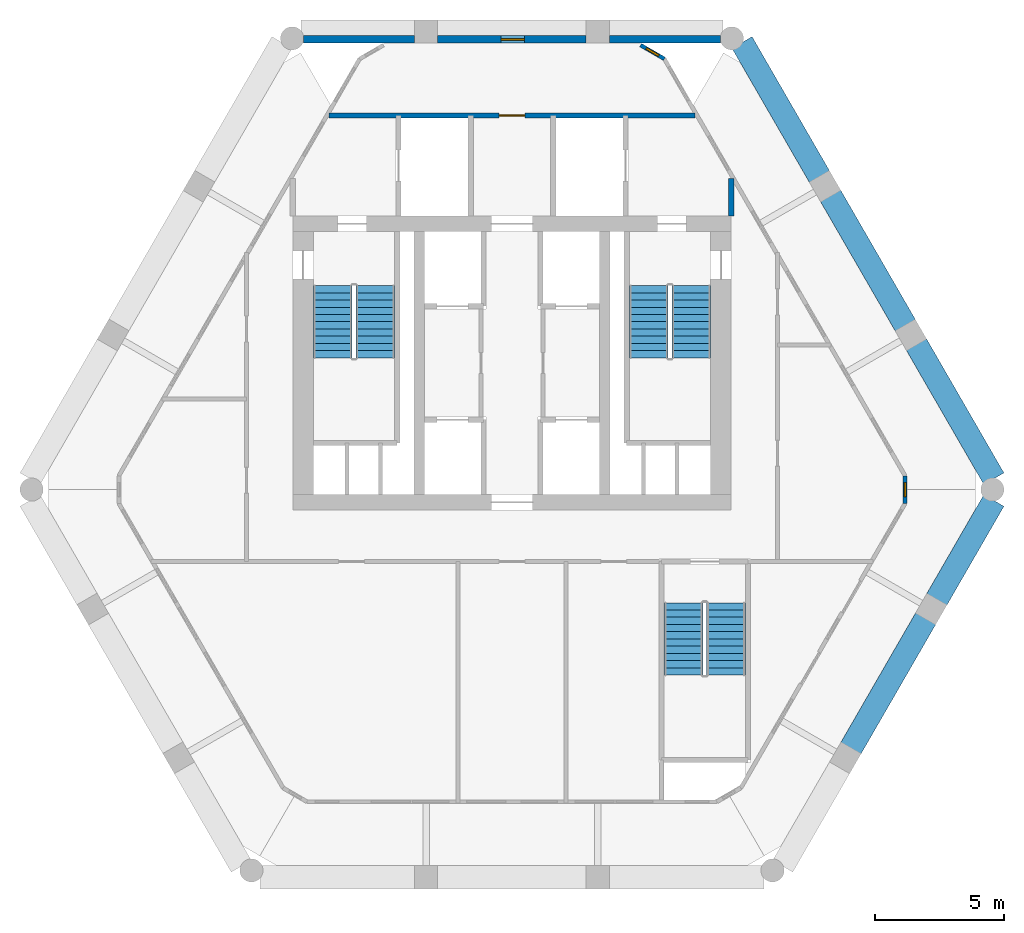
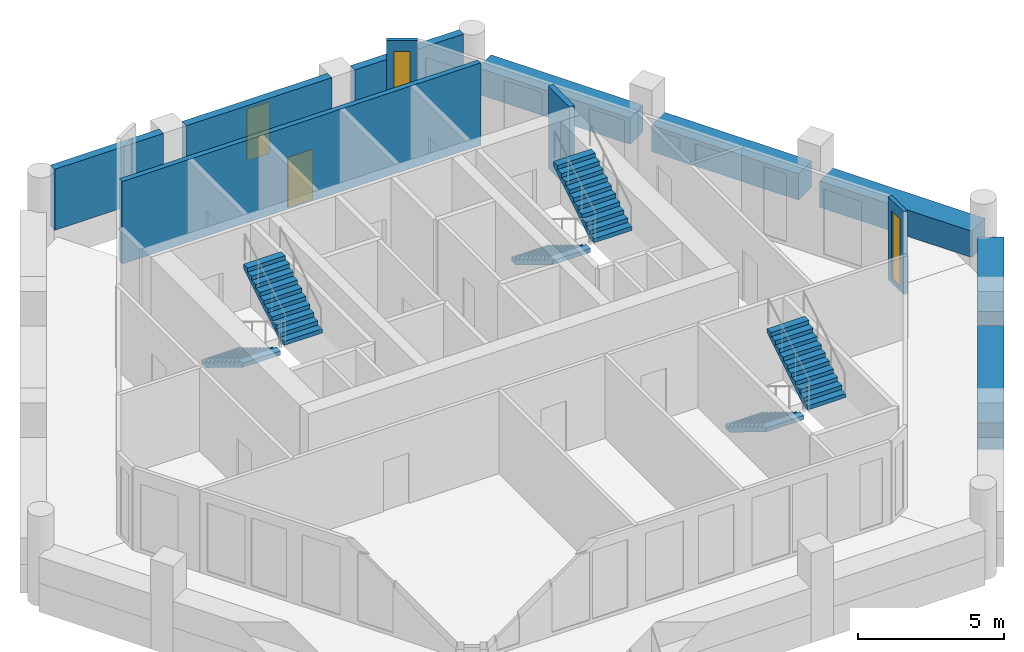
# One storey, part 5 of 6: 12 walls, 6 stair flights, 3 windows, 1 door, 4 openings, 3 elements without a shape of their own.
"""IFC4 building model written with IfcOpenShell, lengths in metres."""

from ifc_helpers import new_model, si_unit, direction, frame, frame_2d, origin, place, context, subcontext, project, spatial, polyline, rectangle, outline, extrude, material, layer, layer_set, type_object, element, fill, aggregate, save


model = new_model("IFC4")

# Units and contexts
model_context = context("Model", 3, precision=1e-05, world=origin(), true_north=direction((0.0, 1.0)))
body_context = subcontext(model_context, "Body", "Model", "MODEL_VIEW")
ifc_project = project(units=[si_unit("LENGTHUNIT", "METRE"), si_unit("AREAUNIT", "SQUARE_METRE"), si_unit("VOLUMEUNIT", "CUBIC_METRE"), si_unit("PLANEANGLEUNIT", "RADIAN"), si_unit("MASSUNIT", "GRAM", prefix="KILO")], contexts=[model_context])

# Site, building, storey
site_placement = place(None, origin())
site = spatial("IfcSite", under=ifc_project, at=site_placement, CompositionType="ELEMENT")
building_placement = place(site_placement, origin())
building = spatial("IfcBuilding", under=site, at=building_placement, Name="Ostrander Bayou Hotel Tower", CompositionType="ELEMENT")
storey_placement = place(building_placement, frame((0.0, 0.0, 263.75)))
storey = spatial("IfcBuildingStorey", under=building, at=storey_placement, Name="L65", CompositionType="ELEMENT", Elevation=263.75)

# Wall, opening, window
ifc_material_1 = material(Name="Aluminium framed insulated wall", Category="aluminium")
ifc_layer_1 = layer(ifc_material_1, 0.14990234375)
ifc_layer_set_1 = layer_set([ifc_layer_1], Name="GW1 glass-line wall 150 mm")
wall_type_1 = type_object("IfcWallType", Name="GW1 glass-line wall 150 mm", PredefinedType="SOLIDWALL", material=ifc_layer_set_1)
wall_1_placement = place(storey_placement, frame((15.245849609375, -1.443603515625, 0.0), z_axis=(0.0, 0.0, 1.0), x_axis=(0.0, 1.0, 0.0)))
wall_1 = element("IfcWall", 1, at=wall_1_placement, inside=storey, type_object=wall_type_1, Name="GW1 L65 corner 5", PredefinedType="SOLIDWALL", context=body_context, shape_type="SweptSolid", body=[
    extrude(rectangle(XDim=1.065185546875, YDim=0.14990234375, at=frame_2d((0.53271484375, 0.0))), origin(), (0.0, 0.0, 1.0), 3.449951171875),
])
opening_1_placement = place(wall_1_placement, frame((0.257568359375, 0.0, 0.14990234375)))
opening_1 = element("IfcOpeningElement", 2, at=opening_1_placement, cuts=wall_1, Name="Opening W19", PredefinedType="OPENING", context=body_context, shape_type="SweptSolid", body=[
    extrude(rectangle(XDim=0.550048828125, YDim=2.85009765625, at=frame_2d((0.27490234375, 1.425048828125))), frame((0.0, 0.074951171875, 0.0), z_axis=(0.0, -1.0, 0.0), x_axis=(1.0, 0.0, 0.0)), (0.0, 0.0, 1.0), 0.14990234375),
])
ifc_material_2 = material(Name="Aluminium and clear glass", Category="aluminium")
window_type_1 = type_object("IfcWindowType", Name="W19 corner window 550 mm", PartitioningType="SINGLE_PANEL", PredefinedType="WINDOW", material=ifc_material_2)
window_1_placement = place(opening_1_placement, origin())
window_1 = element("IfcWindow", 3, at=window_1_placement, inside=storey, type_object=window_type_1, Name="W19 L65 corner 5", OverallHeight=2.85009765625, OverallWidth=0.550048828125, PartitioningType="SINGLE_PANEL", PredefinedType="WINDOW", context=body_context, shape_type="SweptSolid", body=[
    extrude(rectangle(XDim=0.550048828125, YDim=2.85009765625, at=frame_2d((0.27490234375, 1.425048828125))), frame((0.0, 0.030029296875, 0.0), z_axis=(0.0, -1.0, 0.0), x_axis=(1.0, 0.0, 0.0)), (0.0, 0.0, 1.0), 0.06005859375),
])
fill(opening_1, window_1)

wall_2_placement = place(storey_placement, frame((5.909423828125, 15.79248046875, 0.0), z_axis=(0.0, 0.0, 1.0), x_axis=(-0.865990848561, 0.500059846627, 0.0)))
wall_2 = element("IfcWall", 4, at=wall_2_placement, inside=storey, type_object=wall_type_1, Name="GW1 L65 corner 6", PredefinedType="SOLIDWALL", context=body_context, shape_type="SweptSolid", body=[
    extrude(rectangle(XDim=1.064697265625, YDim=0.14990234375, at=frame_2d((0.5322265625, 0.0))), origin(), (0.0, 0.0, 1.0), 3.449951171875),
])
opening_2_placement = place(wall_2_placement, frame((0.257568359375, 0.0, 0.14990234375)))
opening_2 = element("IfcOpeningElement", 5, at=opening_2_placement, cuts=wall_2, Name="Opening W19", PredefinedType="OPENING", context=body_context, shape_type="SweptSolid", body=[
    extrude(rectangle(XDim=0.550048828125, YDim=2.85009765625, at=frame_2d((0.27490234375, 1.425048828125))), frame((0.0, 0.074951171875, 0.0), z_axis=(0.0, -1.0, 0.0), x_axis=(1.0, 0.0, 0.0)), (0.0, 0.0, 1.0), 0.14990234375),
])
window_2_placement = place(opening_2_placement, origin())
window_2 = element("IfcWindow", 6, at=window_2_placement, inside=storey, type_object=window_type_1, Name="W19 L65 corner 6", OverallHeight=2.85009765625, OverallWidth=0.550048828125, PartitioningType="SINGLE_PANEL", PredefinedType="WINDOW", context=body_context, shape_type="SweptSolid", body=[
    extrude(rectangle(XDim=0.550048828125, YDim=2.85009765625, at=frame_2d((0.27490234375, 1.425048828125))), frame((0.0, 0.030029296875, 0.0), z_axis=(0.0, -1.0, 0.0), x_axis=(1.0, 0.0, 0.0)), (0.0, 0.0, 1.0), 0.06005859375),
])
fill(opening_2, window_2)

# Wall
ifc_material_3 = material(Name="Reconstituted stone on masonry backing", Category="masonry")
ifc_layer_2 = layer(ifc_material_3, 0.300048828125)
ifc_layer_set_2 = layer_set([ifc_layer_2], Name="NW1 north stone wall 300 mm")
wall_type_2 = type_object("IfcWallType", Name="NW1 north stone wall 300 mm", PredefinedType="SOLIDWALL", material=ifc_layer_set_2)
wall_3_placement = place(storey_placement, frame((8.079345703125, 16.550048828125, 0.0), z_axis=(0.0, 0.0, 1.0), x_axis=(-1.0, 0.0, 0.0)))
element("IfcWall", 7, at=wall_3_placement, inside=storey, type_object=wall_type_2, Name="NW1 L65 N-1", PredefinedType="SOLIDWALL", context=body_context, shape_type="SweptSolid", body=[
    extrude(rectangle(XDim=4.300048828125, YDim=0.300048828125, at=frame_2d((2.14990234375, 0.0))), origin(), (0.0, 0.0, 1.0), 2.550048828125),
])

# Wall, opening, window
wall_4_placement = place(storey_placement, frame((2.87939453125, 16.550048828125, 0.0), z_axis=(0.0, 0.0, 1.0), x_axis=(-1.0, 0.0, 0.0)))
wall_4 = element("IfcWall", 8, at=wall_4_placement, inside=storey, type_object=wall_type_2, Name="NW1 L65 N-2", PredefinedType="SOLIDWALL", context=body_context, shape_type="SweptSolid", body=[
    extrude(rectangle(XDim=5.7587890625, YDim=0.300048828125, at=frame_2d((2.87939453125, 0.0))), origin(), (0.0, 0.0, 1.0), 2.550048828125),
])
opening_3_placement = place(wall_4_placement, frame((2.39990234375, 0.0, 0.14990234375)))
opening_3 = element("IfcOpeningElement", 9, at=opening_3_placement, cuts=wall_4, Name="Opening W18", PredefinedType="OPENING", context=body_context, shape_type="SweptSolid", body=[
    extrude(rectangle(XDim=0.89990234375, YDim=2.14990234375, at=frame_2d((0.449951171875, 1.074951171875))), frame((0.0, 0.14990234375, 0.0), z_axis=(0.0, -1.0, 0.0), x_axis=(1.0, 0.0, 0.0)), (0.0, 0.0, 1.0), 0.300048828125),
])
ifc_material_4 = material(Name="Aluminium and clear glass", Category="aluminium")
window_type_2 = type_object("IfcWindowType", Name="W18 window 900 mm, zone 4", PartitioningType="SINGLE_PANEL", PredefinedType="WINDOW", material=ifc_material_4)
window_3_placement = place(opening_3_placement, origin())
window_3 = element("IfcWindow", 10, at=window_3_placement, inside=storey, type_object=window_type_2, Name="W18 L65 north N-2", OverallHeight=2.14990234375, OverallWidth=0.89990234375, PartitioningType="SINGLE_PANEL", PredefinedType="WINDOW", context=body_context, shape_type="SweptSolid", body=[
    extrude(rectangle(XDim=0.89990234375, YDim=2.14990234375, at=frame_2d((0.449951171875, 1.074951171875))), frame((0.0, 0.030029296875, 0.0), z_axis=(0.0, -1.0, 0.0), x_axis=(1.0, 0.0, 0.0)), (0.0, 0.0, 1.0), 0.06005859375),
])
fill(opening_3, window_3)

# Walls
wall_5_placement = place(storey_placement, frame((-3.779296875, 16.550048828125, 0.0), z_axis=(0.0, 0.0, 1.0), x_axis=(-1.0, 0.0, 0.0)))
element("IfcWall", 11, at=wall_5_placement, inside=storey, type_object=wall_type_2, Name="NW1 L65 N-3", PredefinedType="SOLIDWALL", context=body_context, shape_type="SweptSolid", body=[
    extrude(rectangle(XDim=4.300048828125, YDim=0.300048828125, at=frame_2d((2.14990234375, 0.0))), origin(), (0.0, 0.0, 1.0), 2.550048828125),
])
ifc_material_5 = material(Name="Concrete f'c 40 MPa", Category="concrete")
ifc_layer_3 = layer(ifc_material_5, 0.89990234375)
ifc_layer_set_3 = layer_set([ifc_layer_3], Name="PA1 stone-faced parapet 900 mm")
wall_type_3 = type_object("IfcWallType", Name="PA1 stone-faced parapet 900 mm", PredefinedType="PARAPET", material=ifc_layer_set_3)
wall_6_placement = place(storey_placement, frame((18.68701171875, -0.489013671875, 0.0), z_axis=(0.0, 0.0, 1.0), x_axis=(-0.499996383721, 0.866027491634, 0.0)))
element("IfcWall", 12, at=wall_6_placement, inside=storey, type_object=wall_type_3, Name="PA1 L65 NE-1", PredefinedType="PARAPET", context=body_context, shape_type="SweptSolid", body=[
    extrude(rectangle(XDim=6.017578125, YDim=0.89990234375, at=frame_2d((3.0087890625, 0.0))), origin(), (0.0, 0.0, 1.0), 1.10009765625),
])
wall_7_placement = place(storey_placement, frame((15.25830078125, 5.449951171875, 0.0), z_axis=(0.0, 0.0, 1.0), x_axis=(-0.500015433515, 0.866016493057, 0.0)))
element("IfcWall", 13, at=wall_7_placement, inside=storey, type_object=wall_type_3, Name="PA1 L65 NE-2", PredefinedType="PARAPET", context=body_context, shape_type="SweptSolid", body=[
    extrude(rectangle(XDim=5.818603515625, YDim=0.89990234375, at=frame_2d((2.9091796875, 0.0))), origin(), (0.0, 0.0, 1.0), 1.10009765625),
])
wall_8_placement = place(storey_placement, frame((11.928955078125, 11.216552734375, 0.0), z_axis=(0.0, 0.0, 1.0), x_axis=(-0.500026811154, 0.866009923804, 0.0)))
element("IfcWall", 14, at=wall_8_placement, inside=storey, type_object=wall_type_3, Name="PA1 L65 NE-3", PredefinedType="PARAPET", context=body_context, shape_type="SweptSolid", body=[
    extrude(rectangle(XDim=6.017822265625, YDim=0.89990234375, at=frame_2d((3.0087890625, 0.0))), origin(), (0.0, 0.0, 1.0), 1.10009765625),
])
ifc_material_6 = material(Name="Limestone masonry", Category="masonry")
ifc_layer_4 = layer(ifc_material_6, 0.89990234375)
ifc_layer_set_4 = layer_set([ifc_layer_4], Name="PA2 limestone parapet 900 mm")
wall_type_4 = type_object("IfcWallType", Name="PA2 limestone parapet 900 mm", PredefinedType="PARAPET", material=ifc_layer_set_4)
wall_9_placement = place(storey_placement, frame((13.1376953125, -10.944580078125, 0.0), z_axis=(0.0, 0.0, 1.0), x_axis=(0.500015433515, 0.866016493057, 0.0)))
element("IfcWall", 15, at=wall_9_placement, inside=storey, type_object=wall_type_4, Name="PA2 L65 SE-2", PredefinedType="PARAPET", context=body_context, shape_type="SweptSolid", body=[
    extrude(rectangle(XDim=5.818603515625, YDim=0.89990234375, at=frame_2d((2.9091796875, 0.0))), origin(), (0.0, 0.0, 1.0), 1.10009765625),
])
wall_10_placement = place(storey_placement, frame((16.46728515625, -5.177978515625, 0.0), z_axis=(0.0, 0.0, 1.0), x_axis=(0.499971567444, 0.866041818706, 0.0)))
element("IfcWall", 16, at=wall_10_placement, inside=storey, type_object=wall_type_4, Name="PA2 L65 SE-3", PredefinedType="PARAPET", context=body_context, shape_type="SweptSolid", body=[
    extrude(rectangle(XDim=4.439697265625, YDim=0.89990234375, at=frame_2d((2.2197265625, 0.0))), origin(), (0.0, 0.0, 1.0), 1.10009765625),
])

# Wall, opening, door
ifc_material_7 = material(Name="Masonry block", Category="masonry")
ifc_layer_5 = layer(ifc_material_7, 0.199951171875)
ifc_layer_set_5 = layer_set([ifc_layer_5], Name="PT5 stair enclosure wall 200 mm masonry, 2 hour")
wall_type_5 = type_object("IfcWallType", Name="PT5 stair enclosure wall 200 mm masonry, 2 hour", PredefinedType="PARTITIONING", material=ifc_layer_set_5)
wall_11_placement = place(storey_placement, frame((-7.088623046875, 13.60009765625, 0.0), z_axis=(0.0, 0.0, 1.0), x_axis=(1.0, 0.0, 0.0)))
wall_11 = element("IfcWall", 17, at=wall_11_placement, inside=storey, type_object=wall_type_5, Name="cs:L65:022", PredefinedType="PARTITIONING", context=body_context, shape_type="SweptSolid", body=[
    extrude(rectangle(XDim=14.17724609375, YDim=0.199951171875, at=frame_2d((7.088623046875, 0.0))), origin(), (0.0, 0.0, 1.0), 3.449951171875),
])
opening_4_placement = place(wall_11_placement, frame((6.588623046875, 0.0, 0.0)))
opening_4 = element("IfcOpeningElement", 18, at=opening_4_placement, cuts=wall_11, Name="Opening T63-014", PredefinedType="OPENING", context=body_context, shape_type="SweptSolid", body=[
    extrude(rectangle(XDim=1.0, YDim=2.10009765625, at=frame_2d((0.5, 1.050048828125))), frame((0.0, 0.10009765625, 0.0), z_axis=(0.0, -1.0, 0.0), x_axis=(1.0, 0.0, 0.0)), (0.0, 0.0, 1.0), 0.199951171875),
])
ifc_material_8 = material(Name="Timber door leaf", Category="wood")
door_type = type_object("IfcDoorType", Name="D9 service door 1000 x 2100 mm, 30 minute", OperationType="SINGLE_SWING_LEFT", PredefinedType="DOOR", material=ifc_material_8)
door_placement = place(opening_4_placement, origin())
door = element("IfcDoor", 19, at=door_placement, inside=storey, type_object=door_type, Name="dr:L65:014", OperationType="SINGLE_SWING_LEFT", OverallHeight=2.10009765625, OverallWidth=1.0, PredefinedType="DOOR", context=body_context, shape_type="SweptSolid", body=[
    extrude(rectangle(XDim=1.0, YDim=2.10009765625, at=frame_2d((0.5, 1.050048828125))), frame((0.0, 0.02490234375, 0.0), z_axis=(0.0, -1.0, 0.0), x_axis=(1.0, 0.0, 0.0)), (0.0, 0.0, 1.0), 0.050048828125),
])
fill(opening_4, door)

# Wall
wall_12_placement = place(storey_placement, frame((8.5, 9.699951171875, 0.0), z_axis=(0.0, 0.0, 1.0), x_axis=(0.0, 1.0, 0.0)))
element("IfcWall", 20, at=wall_12_placement, inside=storey, type_object=wall_type_5, Name="cs:L65:024", PredefinedType="PARTITIONING", context=body_context, shape_type="SweptSolid", body=[
    extrude(rectangle(XDim=1.45556640625, YDim=0.199951171875, at=frame_2d((0.727783203125, 0.0))), origin(), (0.0, 0.0, 1.0), 3.449951171875),
])

# Stair, stair flights
ifc_material_9 = material(Name="Concrete f'c 45 MPa", Category="concrete")
stair_type = type_object("IfcStairType", Name="ST1 exit stair 1500 mm f'c 45 MPa", PredefinedType="HALF_TURN_STAIR", material=ifc_material_9)
stair_1_placement = place(storey_placement, origin())
stair_1 = element("IfcStair", 21, at=stair_1_placement, inside=storey, type_object=stair_type, Name="L65 exit stair A", PredefinedType="HALF_TURN_STAIR")
ifc_material_10 = material(Name="Concrete f'c 45 MPa", Category="concrete")
stair_flight_type = type_object("IfcStairFlightType", Name="SF1 stair flight 1500 mm f'c 45 MPa", PredefinedType="STRAIGHT", material=ifc_material_10)
stair_flight_1_placement = place(storey_placement, frame((-6.949951171875, 7.0, 0.0), z_axis=(0.0, 0.0, 1.0), x_axis=(0.0, -1.0, 0.0)))
stair_flight_1 = element("IfcStairFlight", 22, at=stair_flight_1_placement, type_object=stair_flight_type, Name="STA flight 1", NumberOfRisers=11, NumberOfTreads=10, PredefinedType="STRAIGHT", RiserHeight=0.170454545, TreadLength=0.28, context=body_context, shape_type="SweptSolid", body=[
    extrude(outline(polyline([(0.0, 0.0), (0.0, 0.17041015625), (0.280029296875, 0.17041015625), (0.280029296875, 0.3408203125), (0.56005859375, 0.3408203125), (0.56005859375, 0.511474609375), (0.840087890625, 0.511474609375), (0.840087890625, 0.681884765625), (1.1201171875, 0.681884765625), (1.1201171875, 0.852294921875), (1.39990234375, 0.852294921875), (1.39990234375, 1.022705078125), (1.679931640625, 1.022705078125), (1.679931640625, 1.193115234375), (1.9599609375, 1.193115234375), (1.9599609375, 1.363525390625), (2.239990234375, 1.363525390625), (2.239990234375, 1.5341796875), (2.52001953125, 1.5341796875), (2.52001953125, 1.70458984375), (2.800048828125, 1.70458984375), (2.800048828125, 1.875), (2.800048828125, 1.529052734375), (0.288330078125, 0.0), (0.0, 0.0)])), frame((0.0, 0.75, 0.0), z_axis=(0.0, -1.0, 0.0), x_axis=(1.0, 0.0, 0.0)), (0.0, 0.0, 1.0), 1.5),
])
stair_flight_2_placement = place(storey_placement, frame((-5.300048828125, 4.199951171875, 1.875), z_axis=(0.0, 0.0, 1.0), x_axis=(0.0, 1.0, 0.0)))
stair_flight_2 = element("IfcStairFlight", 23, at=stair_flight_2_placement, type_object=stair_flight_type, Name="STA flight 2", NumberOfRisers=11, NumberOfTreads=10, PredefinedType="STRAIGHT", RiserHeight=0.170454545, TreadLength=0.28, context=body_context, shape_type="SweptSolid", body=[
    extrude(outline(polyline([(0.0, 0.0), (0.0, 0.17041015625), (0.280029296875, 0.17041015625), (0.280029296875, 0.3408203125), (0.56005859375, 0.3408203125), (0.56005859375, 0.511474609375), (0.840087890625, 0.511474609375), (0.840087890625, 0.681884765625), (1.1201171875, 0.681884765625), (1.1201171875, 0.852294921875), (1.39990234375, 0.852294921875), (1.39990234375, 1.022705078125), (1.679931640625, 1.022705078125), (1.679931640625, 1.193115234375), (1.9599609375, 1.193115234375), (1.9599609375, 1.363525390625), (2.239990234375, 1.363525390625), (2.239990234375, 1.5341796875), (2.52001953125, 1.5341796875), (2.52001953125, 1.70458984375), (2.800048828125, 1.70458984375), (2.800048828125, 1.875), (2.800048828125, 1.529052734375), (0.288330078125, 0.0), (0.0, 0.0)])), frame((0.0, 0.75, 0.0), z_axis=(0.0, -1.0, 0.0), x_axis=(1.0, 0.0, 0.0)), (0.0, 0.0, 1.0), 1.5),
])
aggregate(stair_1, [stair_flight_1, stair_flight_2])

stair_2_placement = place(storey_placement, origin())
stair_2 = element("IfcStair", 24, at=stair_2_placement, inside=storey, type_object=stair_type, Name="L65 exit stair B", PredefinedType="HALF_TURN_STAIR")
stair_flight_3_placement = place(storey_placement, frame((5.300048828125, 7.0, 0.0), z_axis=(0.0, 0.0, 1.0), x_axis=(0.0, -1.0, 0.0)))
stair_flight_3 = element("IfcStairFlight", 25, at=stair_flight_3_placement, type_object=stair_flight_type, Name="STB flight 1", NumberOfRisers=11, NumberOfTreads=10, PredefinedType="STRAIGHT", RiserHeight=0.170454545, TreadLength=0.28, context=body_context, shape_type="SweptSolid", body=[
    extrude(outline(polyline([(0.0, 0.0), (0.0, 0.17041015625), (0.280029296875, 0.17041015625), (0.280029296875, 0.3408203125), (0.56005859375, 0.3408203125), (0.56005859375, 0.511474609375), (0.840087890625, 0.511474609375), (0.840087890625, 0.681884765625), (1.1201171875, 0.681884765625), (1.1201171875, 0.852294921875), (1.39990234375, 0.852294921875), (1.39990234375, 1.022705078125), (1.679931640625, 1.022705078125), (1.679931640625, 1.193115234375), (1.9599609375, 1.193115234375), (1.9599609375, 1.363525390625), (2.239990234375, 1.363525390625), (2.239990234375, 1.5341796875), (2.52001953125, 1.5341796875), (2.52001953125, 1.70458984375), (2.800048828125, 1.70458984375), (2.800048828125, 1.875), (2.800048828125, 1.529052734375), (0.288330078125, 0.0), (0.0, 0.0)])), frame((0.0, 0.75, 0.0), z_axis=(0.0, -1.0, 0.0), x_axis=(1.0, 0.0, 0.0)), (0.0, 0.0, 1.0), 1.5),
])
stair_flight_4_placement = place(storey_placement, frame((6.949951171875, 4.199951171875, 1.875), z_axis=(0.0, 0.0, 1.0), x_axis=(0.0, 1.0, 0.0)))
stair_flight_4 = element("IfcStairFlight", 26, at=stair_flight_4_placement, type_object=stair_flight_type, Name="STB flight 2", NumberOfRisers=11, NumberOfTreads=10, PredefinedType="STRAIGHT", RiserHeight=0.170454545, TreadLength=0.28, context=body_context, shape_type="SweptSolid", body=[
    extrude(outline(polyline([(0.0, 0.0), (0.0, 0.17041015625), (0.280029296875, 0.17041015625), (0.280029296875, 0.3408203125), (0.56005859375, 0.3408203125), (0.56005859375, 0.511474609375), (0.840087890625, 0.511474609375), (0.840087890625, 0.681884765625), (1.1201171875, 0.681884765625), (1.1201171875, 0.852294921875), (1.39990234375, 0.852294921875), (1.39990234375, 1.022705078125), (1.679931640625, 1.022705078125), (1.679931640625, 1.193115234375), (1.9599609375, 1.193115234375), (1.9599609375, 1.363525390625), (2.239990234375, 1.363525390625), (2.239990234375, 1.5341796875), (2.52001953125, 1.5341796875), (2.52001953125, 1.70458984375), (2.800048828125, 1.70458984375), (2.800048828125, 1.875), (2.800048828125, 1.529052734375), (0.288330078125, 0.0), (0.0, 0.0)])), frame((0.0, 0.75, 0.0), z_axis=(0.0, -1.0, 0.0), x_axis=(1.0, 0.0, 0.0)), (0.0, 0.0, 1.0), 1.5),
])
aggregate(stair_2, [stair_flight_3, stair_flight_4])

stair_3_placement = place(storey_placement, origin())
stair_3 = element("IfcStair", 27, at=stair_3_placement, inside=storey, type_object=stair_type, Name="L65 exit stair C", PredefinedType="HALF_TURN_STAIR")
stair_flight_5_placement = place(storey_placement, frame((6.64990234375, -5.300048828125, 0.0), z_axis=(0.0, 0.0, 1.0), x_axis=(0.0, -1.0, 0.0)))
stair_flight_5 = element("IfcStairFlight", 28, at=stair_flight_5_placement, type_object=stair_flight_type, Name="STC flight 1", NumberOfRisers=11, NumberOfTreads=10, PredefinedType="STRAIGHT", RiserHeight=0.170454545, TreadLength=0.28, context=body_context, shape_type="SweptSolid", body=[
    extrude(outline(polyline([(0.0, 0.0), (0.0, 0.17041015625), (0.280029296875, 0.17041015625), (0.280029296875, 0.3408203125), (0.56005859375, 0.3408203125), (0.56005859375, 0.511474609375), (0.840087890625, 0.511474609375), (0.840087890625, 0.681884765625), (1.1201171875, 0.681884765625), (1.1201171875, 0.852294921875), (1.39990234375, 0.852294921875), (1.39990234375, 1.022705078125), (1.679931640625, 1.022705078125), (1.679931640625, 1.193115234375), (1.9599609375, 1.193115234375), (1.9599609375, 1.363525390625), (2.239990234375, 1.363525390625), (2.239990234375, 1.5341796875), (2.52001953125, 1.5341796875), (2.52001953125, 1.70458984375), (2.800048828125, 1.70458984375), (2.800048828125, 1.875), (2.800048828125, 1.529052734375), (0.288330078125, 0.0), (0.0, 0.0)])), frame((0.0, 0.75, 0.0), z_axis=(0.0, -1.0, 0.0), x_axis=(1.0, 0.0, 0.0)), (0.0, 0.0, 1.0), 1.5),
])
stair_flight_6_placement = place(storey_placement, frame((8.300048828125, -8.10009765625, 1.875), z_axis=(0.0, 0.0, 1.0), x_axis=(0.0, 1.0, 0.0)))
stair_flight_6 = element("IfcStairFlight", 29, at=stair_flight_6_placement, type_object=stair_flight_type, Name="STC flight 2", NumberOfRisers=11, NumberOfTreads=10, PredefinedType="STRAIGHT", RiserHeight=0.170454545, TreadLength=0.28, context=body_context, shape_type="SweptSolid", body=[
    extrude(outline(polyline([(0.0, 0.0), (0.0, 0.17041015625), (0.280029296875, 0.17041015625), (0.280029296875, 0.3408203125), (0.56005859375, 0.3408203125), (0.56005859375, 0.511474609375), (0.840087890625, 0.511474609375), (0.840087890625, 0.681884765625), (1.1201171875, 0.681884765625), (1.1201171875, 0.852294921875), (1.39990234375, 0.852294921875), (1.39990234375, 1.022705078125), (1.679931640625, 1.022705078125), (1.679931640625, 1.193115234375), (1.9599609375, 1.193115234375), (1.9599609375, 1.363525390625), (2.239990234375, 1.363525390625), (2.239990234375, 1.5341796875), (2.52001953125, 1.5341796875), (2.52001953125, 1.70458984375), (2.800048828125, 1.70458984375), (2.800048828125, 1.875), (2.800048828125, 1.529052734375), (0.288330078125, 0.0), (0.0, 0.0)])), frame((0.0, 0.75, 0.0), z_axis=(0.0, -1.0, 0.0), x_axis=(1.0, 0.0, 0.0)), (0.0, 0.0, 1.0), 1.5),
])
aggregate(stair_3, [stair_flight_5, stair_flight_6])

save(model, "model.ifc")
